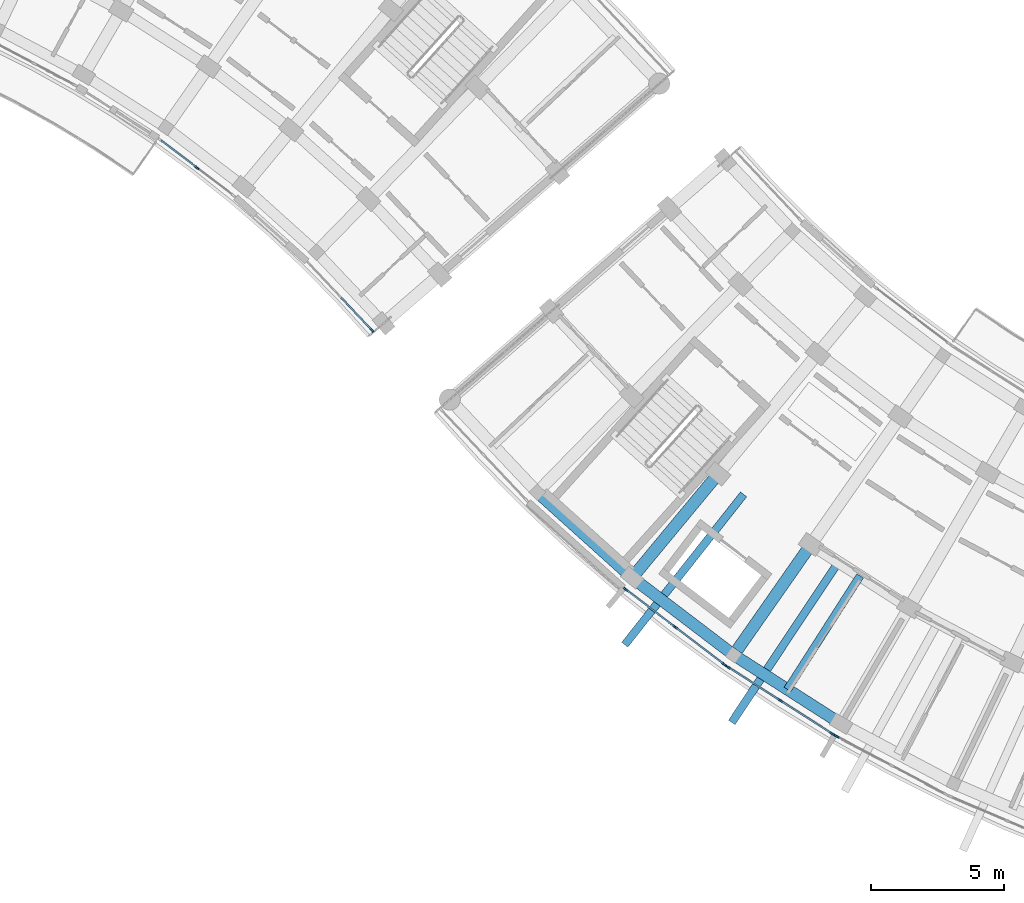
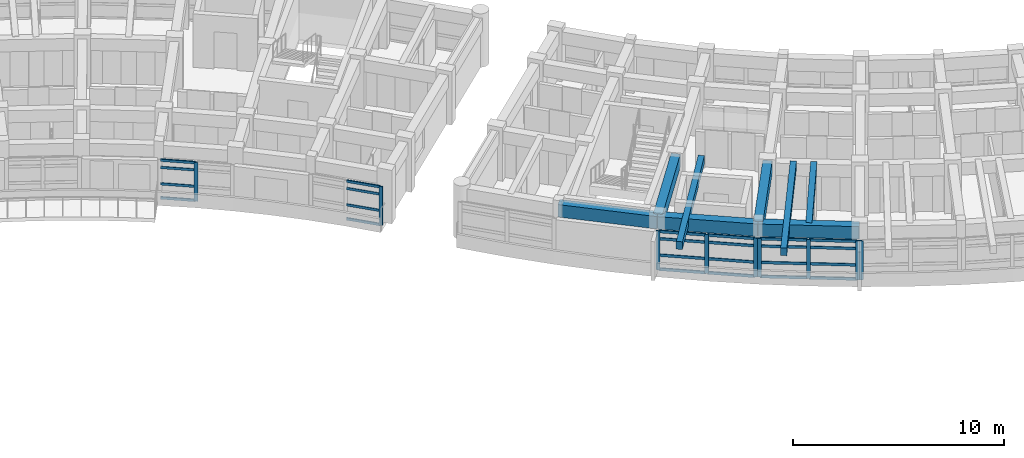
# One storey, part 9 of 56: 33 members, 8 beams, 5 elements without a shape of their own.
"""IFC4 building model written with IfcOpenShell, lengths in metres."""

from ifc_helpers import new_model, si_unit, direction, frame, origin, origin_2d, place, context, subcontext, project, spatial, rectangle, extrude, material, material_profile, profile_set, type_object, element, aggregate, save


model = new_model("IFC4")

# Units and contexts
model_context = context("Model", 3, precision=1e-05, world=origin(), true_north=direction((0.0, 1.0)))
body_context = subcontext(model_context, "Body", "Model", "MODEL_VIEW")
ifc_project = project(units=[si_unit("LENGTHUNIT", "METRE"), si_unit("AREAUNIT", "SQUARE_METRE"), si_unit("VOLUMEUNIT", "CUBIC_METRE"), si_unit("PLANEANGLEUNIT", "RADIAN"), si_unit("MASSUNIT", "GRAM", prefix="KILO")], contexts=[model_context])

# Site, building, storey
site_placement = place(None, origin())
site = spatial("IfcSite", under=ifc_project, at=site_placement, CompositionType="ELEMENT")
building_placement = place(site_placement, origin())
building = spatial("IfcBuilding", under=site, at=building_placement, Name="Zimvara Arc Housing Community", CompositionType="ELEMENT")
storey_placement = place(building_placement, frame((0.0, 0.0, 11.199951171875)))
storey = spatial("IfcBuildingStorey", under=building, at=storey_placement, Name="L03", CompositionType="ELEMENT", Elevation=11.199951171875)

# Beams
ifc_material_1 = material(Name="Concrete C40/50", Category="concrete")
ifc_material_profile_1 = material_profile(ifc_material_1, rectangle(XDim=0.300048828125, YDim=0.449951171875, at=origin_2d()), Name="RC 300x450")
ifc_profile_set_1 = profile_set([ifc_material_profile_1], Name="Concrete C40/50")
beam_type_1 = type_object("IfcBeamType", Name="BM-RC-300x450", PredefinedType="JOIST", material=ifc_profile_set_1)
beam_1_placement = place(storey_placement, frame((97.00244140625, 64.583984375, 2.635009765625), z_axis=(-0.539052331508, -0.842272274206, 0.0), x_axis=(0.842272274206, -0.539052331508, 0.0)))
element("IfcBeam", 1, at=beam_1_placement, inside=storey, type_object=beam_type_1, Name="bm:blkC:L03:joist:b3", PredefinedType="JOIST", context=body_context, shape_type="SweptSolid", body=[
    extrude(rectangle(XDim=0.300048828125, YDim=0.449951171875, at=origin_2d()), origin(), (0.0, 0.0, 1.0), 5.07568359375),
])
for number, where, z_axis, x_axis, name in (
    (2, (92.614013671875, 67.65625, 2.6650390625), (-0.620185744854, -0.784454996721, 0.0), (0.784454996721, -0.620185744854, 0.0), "bm:blkC:L03:cant_out:b2"),
    (3, (96.168701171875, 65.07470703125, 2.6650390625), (-0.554114811637, -0.832440253426, 0.0), (0.832440253426, -0.554114811637, 0.0), "bm:blkC:L03:cant_out:b3"),
):
    element("IfcBeam", number, at=place(storey_placement, frame(where, z_axis=z_axis, x_axis=x_axis)), inside=storey, type_object=beam_type_1, Name=name, PredefinedType="JOIST", context=body_context, shape_type="SweptSolid", body=[
        extrude(rectangle(XDim=0.300048828125, YDim=0.449951171875, at=origin_2d()), origin(), (0.0, 0.0, 1.0), 7.219970703125),
    ])
ifc_material_2 = material(Name="Concrete C40/50", Category="concrete")
ifc_material_profile_2 = material_profile(ifc_material_2, rectangle(XDim=0.43994140625, YDim=0.719970703125, at=origin_2d()), Name="RC 440x720")
ifc_profile_set_2 = profile_set([ifc_material_profile_2], Name="Concrete C40/50")
beam_type_2 = type_object("IfcBeamType", Name="BM-RC-440x720", PredefinedType="BEAM", material=ifc_profile_set_2)
for number, where, z_axis, x_axis, name in (
    (4, (84.842529296875, 67.734375, 2.5), (0.743369885629, -0.668880567172, 0.0), (0.668880567172, 0.743369885629, 0.0), "bm:blkC:L03:chord:r3:b1"),
    (5, (88.416748046875, 64.518310546875, 2.5), (0.795480673672, -0.605978958228, 0.0), (0.605978958228, 0.795480673672, 0.0), "bm:blkC:L03:chord:r3:b2"),
    (6, (92.241455078125, 61.604736328125, 2.5), (0.842278777856, -0.539042169383, 0.0), (0.539042169383, 0.842278777856, 0.0), "bm:blkC:L03:chord:r3:b3"),
):
    element("IfcBeam", number, at=place(storey_placement, frame(where, z_axis=z_axis, x_axis=x_axis)), inside=storey, type_object=beam_type_2, Name=name, PredefinedType="BEAM", context=body_context, shape_type="SweptSolid", body=[
        extrude(rectangle(XDim=0.43994140625, YDim=0.719970703125, at=origin_2d()), origin(), (0.0, 0.0, 1.0), 4.80810546875),
    ])
ifc_material_3 = material(Name="Concrete C40/50", Category="concrete")
ifc_material_profile_3 = material_profile(ifc_material_3, rectangle(XDim=0.449951171875, YDim=0.75, at=origin_2d()), Name="RC 450x750")
ifc_profile_set_3 = profile_set([ifc_material_profile_3], Name="Concrete C40/50")
beam_type_3 = type_object("IfcBeamType", Name="BM-RC-450x750", PredefinedType="BEAM", material=ifc_profile_set_3)
beam_2_placement = place(storey_placement, frame((91.65771484375, 68.430419921875, 2.485107421875), z_axis=(-0.637960059333, -0.770069453164, 0.0), x_axis=(0.770069453164, -0.637960059333, 0.0)))
element("IfcBeam", 7, at=beam_2_placement, inside=storey, type_object=beam_type_3, Name="bm:blkC:L03:rad:b2:r23", PredefinedType="BEAM", context=body_context, shape_type="SweptSolid", body=[
    extrude(rectangle(XDim=0.449951171875, YDim=0.75, at=origin_2d()), origin(), (0.0, 0.0, 1.0), 5.080322265625),
])
beam_3_placement = place(storey_placement, frame((95.15234375, 65.76806640625, 2.485107421875), z_axis=(-0.573007469479, -0.819550144848, 0.0), x_axis=(0.819550144848, -0.573007469479, 0.0)))
element("IfcBeam", 8, at=beam_3_placement, inside=storey, type_object=beam_type_3, Name="bm:blkC:L03:rad:b3:r23", PredefinedType="BEAM", context=body_context, shape_type="SweptSolid", body=[
    extrude(rectangle(XDim=0.449951171875, YDim=0.75, at=origin_2d()), origin(), (0.0, 0.0, 1.0), 5.080078125),
])

# Curtain wall, member
ifc_material_4 = material(Name="Anodised Aluminium AW-6063", Category="aluminium")
curtain_wall_type_1 = type_object("IfcCurtainWallType", Name="CW-SYS-02", PredefinedType="USERDEFINED", material=ifc_material_4)
curtain_wall_1_placement = place(storey_placement, origin())
curtain_wall_1 = element("IfcCurtainWall", 9, at=curtain_wall_1_placement, inside=storey, type_object=curtain_wall_type_1, Name="cw:blkB:L03:in:b7", ObjectType="CURTAIN WALL", PredefinedType="USERDEFINED")
ifc_material_5 = material(Name="Anodised Aluminium AW-6063", Category="aluminium")
ifc_material_profile_4 = material_profile(ifc_material_5, rectangle(XDim=0.06494140625, YDim=0.179931640625, at=origin_2d()), Name="ALU 65x180")
ifc_profile_set_4 = profile_set([ifc_material_profile_4], Name="Anodised Aluminium AW-6063")
member_type_1 = type_object("IfcMemberType", Name="CWM-65x150", PredefinedType="MULLION", material=ifc_profile_set_4)
member_1_placement = place(storey_placement, frame((72.0166015625, 79.96435546875, 0.0), z_axis=(0.0, 0.0, 1.0), x_axis=(0.605988318533, 0.795473543119, 0.0)))
member_1 = element("IfcMember", 10, at=member_1_placement, type_object=member_type_1, Name="CW02 mullion 2", PredefinedType="MULLION", context=body_context, shape_type="SweptSolid", body=[
    extrude(rectangle(XDim=0.06494140625, YDim=0.179931640625, at=origin_2d()), origin(), (0.0, 0.0, 1.0), 2.25),
])

ifc_material_6 = material(Name="Anodised Aluminium AW-6063", Category="aluminium")
curtain_wall_type_2 = type_object("IfcCurtainWallType", Name="CW-SYS-04", PredefinedType="USERDEFINED", material=ifc_material_6)
curtain_wall_2_placement = place(storey_placement, origin())
curtain_wall_2 = element("IfcCurtainWall", 11, at=curtain_wall_2_placement, inside=storey, type_object=curtain_wall_type_2, Name="cw:blkB:L03:in:b9", ObjectType="CURTAIN WALL", PredefinedType="USERDEFINED")
member_2_placement = place(storey_placement, frame((78.611572265625, 73.840576171875, 0.0), z_axis=(0.0, 0.0, 1.0), x_axis=(0.727293280483, 0.686326805658, 0.0)))
member_2 = element("IfcMember", 12, at=member_2_placement, type_object=member_type_1, Name="CW04 mullion 3", PredefinedType="MULLION", context=body_context, shape_type="SweptSolid", body=[
    extrude(rectangle(XDim=0.06494140625, YDim=0.179931640625, at=origin_2d()), origin(), (0.0, 0.0, 1.0), 2.25),
])

# Curtain wall, members
ifc_material_7 = material(Name="Anodised Aluminium AW-6063", Category="aluminium")
curtain_wall_type_3 = type_object("IfcCurtainWallType", Name="CW-SYS-05", PredefinedType="USERDEFINED", material=ifc_material_7)
curtain_wall_3_placement = place(storey_placement, origin())
curtain_wall_3 = element("IfcCurtainWall", 13, at=curtain_wall_3_placement, inside=storey, type_object=curtain_wall_type_3, Name="cw:blkC:L03:out:b2", ObjectType="CURTAIN WALL", PredefinedType="USERDEFINED")
ifc_material_8 = material(Name="Anodised Aluminium AW-6063", Category="aluminium")
ifc_material_profile_5 = material_profile(ifc_material_8, rectangle(XDim=0.06494140625, YDim=0.195068359375, at=origin_2d()), Name="ALU 65x195")
ifc_profile_set_5 = profile_set([ifc_material_profile_5], Name="Anodised Aluminium AW-6063")
member_type_2 = type_object("IfcMemberType", Name="CWM-65x180", PredefinedType="MULLION", material=ifc_profile_set_5)
member_3_placement = place(storey_placement, frame((88.17138671875, 64.077392578125, 0.0), z_axis=(0.0, 0.0, 1.0), x_axis=(0.60598771987, 0.795473999177, 0.0)))
member_3 = element("IfcMember", 14, at=member_3_placement, type_object=member_type_2, Name="CW05 mullion 1", PredefinedType="MULLION", context=body_context, shape_type="SweptSolid", body=[
    extrude(rectangle(XDim=0.06494140625, YDim=0.195068359375, at=origin_2d()), origin(), (0.0, 0.0, 1.0), 2.25),
])
member_4_placement = place(storey_placement, frame((90.0263671875, 62.6640625, 0.0), z_axis=(0.0, 0.0, 1.0), x_axis=(0.60598771987, 0.795473999177, 0.0)))
member_4 = element("IfcMember", 15, at=member_4_placement, type_object=member_type_2, Name="CW05 mullion 2", PredefinedType="MULLION", context=body_context, shape_type="SweptSolid", body=[
    extrude(rectangle(XDim=0.06494140625, YDim=0.195068359375, at=origin_2d()), origin(), (0.0, 0.0, 1.0), 2.25),
])
member_5_placement = place(storey_placement, frame((91.88134765625, 61.2509765625, 0.0), z_axis=(0.0, 0.0, 1.0), x_axis=(0.60598771987, 0.795473999177, 0.0)))
member_5 = element("IfcMember", 16, at=member_5_placement, type_object=member_type_2, Name="CW05 mullion 3", PredefinedType="MULLION", context=body_context, shape_type="SweptSolid", body=[
    extrude(rectangle(XDim=0.06494140625, YDim=0.195068359375, at=origin_2d()), origin(), (0.0, 0.0, 1.0), 2.25),
])

ifc_material_9 = material(Name="Anodised Aluminium AW-6063", Category="aluminium")
curtain_wall_type_4 = type_object("IfcCurtainWallType", Name="CW-SYS-07", PredefinedType="USERDEFINED", material=ifc_material_9)
curtain_wall_4_placement = place(storey_placement, origin())
curtain_wall_4 = element("IfcCurtainWall", 17, at=curtain_wall_4_placement, inside=storey, type_object=curtain_wall_type_4, Name="cw:blkC:L03:out:b3", ObjectType="CURTAIN WALL", PredefinedType="USERDEFINED")
member_6_placement = place(storey_placement, frame((92.032958984375, 61.14501953125, 0.0), z_axis=(0.0, 0.0, 1.0), x_axis=(0.539064617721, 0.842264410931, 0.0)))
member_6 = element("IfcMember", 18, at=member_6_placement, type_object=member_type_2, Name="CW07 mullion 1", PredefinedType="MULLION", context=body_context, shape_type="SweptSolid", body=[
    extrude(rectangle(XDim=0.06494140625, YDim=0.195068359375, at=origin_2d()), origin(), (0.0, 0.0, 1.0), 2.25),
])
member_7_placement = place(storey_placement, frame((93.9970703125, 59.887939453125, 0.0), z_axis=(0.0, 0.0, 1.0), x_axis=(0.539064617721, 0.842264410931, 0.0)))
member_7 = element("IfcMember", 19, at=member_7_placement, type_object=member_type_2, Name="CW07 mullion 2", PredefinedType="MULLION", context=body_context, shape_type="SweptSolid", body=[
    extrude(rectangle(XDim=0.06494140625, YDim=0.195068359375, at=origin_2d()), origin(), (0.0, 0.0, 1.0), 2.25),
])
member_8_placement = place(storey_placement, frame((95.961181640625, 58.630859375, 0.0), z_axis=(0.0, 0.0, 1.0), x_axis=(0.539064617721, 0.842264410931, 0.0)))
member_8 = element("IfcMember", 20, at=member_8_placement, type_object=member_type_2, Name="CW07 mullion 3", PredefinedType="MULLION", context=body_context, shape_type="SweptSolid", body=[
    extrude(rectangle(XDim=0.06494140625, YDim=0.195068359375, at=origin_2d()), origin(), (0.0, 0.0, 1.0), 2.25),
])

# Curtain wall, member
ifc_material_10 = material(Name="Anodised Aluminium AW-6063", Category="aluminium")
curtain_wall_type_5 = type_object("IfcCurtainWallType", Name="CW-SYS-01", PredefinedType="USERDEFINED", material=ifc_material_10)
curtain_wall_5_placement = place(storey_placement, origin())
curtain_wall_5 = element("IfcCurtainWall", 21, at=curtain_wall_5_placement, inside=storey, type_object=curtain_wall_type_5, Name="cw:blkC:L03:out:b4", ObjectType="CURTAIN WALL", PredefinedType="USERDEFINED")
member_9_placement = place(storey_placement, frame((96.120849609375, 58.537841796875, 0.0), z_axis=(0.0, 0.0, 1.0), x_axis=(0.468546917761, 0.883438614651, 0.0)))
member_9 = element("IfcMember", 22, at=member_9_placement, type_object=member_type_2, Name="CW01 mullion 1", PredefinedType="MULLION", context=body_context, shape_type="SweptSolid", body=[
    extrude(rectangle(XDim=0.06494140625, YDim=0.195068359375, at=origin_2d()), origin(), (0.0, 0.0, 1.0), 2.25),
])
aggregate(curtain_wall_5, [member_9])

# Member
ifc_material_11 = material(Name="Anodised Aluminium AW-6063", Category="aluminium")
ifc_material_profile_6 = material_profile(ifc_material_11, rectangle(XDim=0.06494140625, YDim=0.139892578125, at=origin_2d()), Name="ALU 65x140")
ifc_profile_set_6 = profile_set([ifc_material_profile_6], Name="Anodised Aluminium AW-6063")
member_type_3 = type_object("IfcMemberType", Name="CWT-65x120", PredefinedType="USERDEFINED", material=ifc_profile_set_6)
member_10_placement = place(storey_placement, frame((70.6669921875, 80.99267578125, 0.032470703125), z_axis=(0.795435087713, -0.606038795157, 0.0), x_axis=(0.606038795157, 0.795435087713, 0.0)))
member_10 = element("IfcMember", 23, at=member_10_placement, type_object=member_type_3, Name="CW02 transom 1.1", ObjectType="TRANSOM", PredefinedType="USERDEFINED", context=body_context, shape_type="SweptSolid", body=[
    extrude(rectangle(XDim=0.06494140625, YDim=0.139892578125, at=origin_2d()), origin(), (0.0, 0.0, 1.0), 1.6640625),
])

member_11_placement = place(storey_placement, frame((70.6669921875, 80.99267578125, 0.85009765625), z_axis=(0.795435087713, -0.606038795157, 0.0), x_axis=(0.606038795157, 0.795435087713, 0.0)))
member_11 = element("IfcMember", 24, at=member_11_placement, type_object=member_type_3, Name="CW02 transom 1.2", ObjectType="TRANSOM", PredefinedType="USERDEFINED", context=body_context, shape_type="SweptSolid", body=[
    extrude(rectangle(XDim=0.06494140625, YDim=0.139892578125, at=origin_2d()), origin(), (0.0, 0.0, 1.0), 1.6640625),
])

member_12_placement = place(storey_placement, frame((70.6669921875, 80.99267578125, 1.800048828125), z_axis=(0.795435087713, -0.606038795157, 0.0), x_axis=(0.606038795157, 0.795435087713, 0.0)))
member_12 = element("IfcMember", 25, at=member_12_placement, type_object=member_type_3, Name="CW02 transom 1.3", ObjectType="TRANSOM", PredefinedType="USERDEFINED", context=body_context, shape_type="SweptSolid", body=[
    extrude(rectangle(XDim=0.06494140625, YDim=0.139892578125, at=origin_2d()), origin(), (0.0, 0.0, 1.0), 1.6640625),
])

member_13_placement = place(storey_placement, frame((70.6669921875, 80.99267578125, 2.217529296875), z_axis=(0.795435087713, -0.606038795157, 0.0), x_axis=(0.606038795157, 0.795435087713, 0.0)))
member_13 = element("IfcMember", 26, at=member_13_placement, type_object=member_type_3, Name="CW02 transom 1.4", ObjectType="TRANSOM", PredefinedType="USERDEFINED", context=body_context, shape_type="SweptSolid", body=[
    extrude(rectangle(XDim=0.06494140625, YDim=0.139892578125, at=origin_2d()), origin(), (0.0, 0.0, 1.0), 1.6640625),
])

aggregate(curtain_wall_1, [member_1, member_10, member_11, member_12, member_13])

member_14_placement = place(storey_placement, frame((77.447021484375, 75.07470703125, 0.032470703125), z_axis=(0.686347817597, -0.727273451516, 0.0), x_axis=(0.727273451516, 0.686347817597, 0.0)))
member_14 = element("IfcMember", 27, at=member_14_placement, type_object=member_type_3, Name="CW04 transom 2.1", ObjectType="TRANSOM", PredefinedType="USERDEFINED", context=body_context, shape_type="SweptSolid", body=[
    extrude(rectangle(XDim=0.06494140625, YDim=0.139892578125, at=origin_2d()), origin(), (0.0, 0.0, 1.0), 1.664306640625),
])

member_15_placement = place(storey_placement, frame((77.447021484375, 75.07470703125, 0.85009765625), z_axis=(0.686347817597, -0.727273451516, 0.0), x_axis=(0.727273451516, 0.686347817597, 0.0)))
member_15 = element("IfcMember", 28, at=member_15_placement, type_object=member_type_3, Name="CW04 transom 2.2", ObjectType="TRANSOM", PredefinedType="USERDEFINED", context=body_context, shape_type="SweptSolid", body=[
    extrude(rectangle(XDim=0.06494140625, YDim=0.139892578125, at=origin_2d()), origin(), (0.0, 0.0, 1.0), 1.664306640625),
])

member_16_placement = place(storey_placement, frame((77.447021484375, 75.07470703125, 1.800048828125), z_axis=(0.686347817597, -0.727273451516, 0.0), x_axis=(0.727273451516, 0.686347817597, 0.0)))
member_16 = element("IfcMember", 29, at=member_16_placement, type_object=member_type_3, Name="CW04 transom 2.3", ObjectType="TRANSOM", PredefinedType="USERDEFINED", context=body_context, shape_type="SweptSolid", body=[
    extrude(rectangle(XDim=0.06494140625, YDim=0.139892578125, at=origin_2d()), origin(), (0.0, 0.0, 1.0), 1.664306640625),
])

member_17_placement = place(storey_placement, frame((77.447021484375, 75.07470703125, 2.217529296875), z_axis=(0.686347817597, -0.727273451516, 0.0), x_axis=(0.727273451516, 0.686347817597, 0.0)))
member_17 = element("IfcMember", 30, at=member_17_placement, type_object=member_type_3, Name="CW04 transom 2.4", ObjectType="TRANSOM", PredefinedType="USERDEFINED", context=body_context, shape_type="SweptSolid", body=[
    extrude(rectangle(XDim=0.06494140625, YDim=0.139892578125, at=origin_2d()), origin(), (0.0, 0.0, 1.0), 1.664306640625),
])

aggregate(curtain_wall_2, [member_2, member_14, member_15, member_16, member_17])

ifc_material_12 = material(Name="Anodised Aluminium AW-6063", Category="aluminium")
ifc_material_profile_7 = material_profile(ifc_material_12, rectangle(XDim=0.06494140625, YDim=0.155029296875, at=origin_2d()), Name="ALU 65x155")
ifc_profile_set_7 = profile_set([ifc_material_profile_7], Name="Anodised Aluminium AW-6063")
member_type_4 = type_object("IfcMemberType", Name="CWT-65x140", PredefinedType="USERDEFINED", material=ifc_profile_set_7)
member_18_placement = place(storey_placement, frame((88.197265625, 64.0576171875, 0.032470703125), z_axis=(0.795453969776, -0.606014011363, 0.0), x_axis=(0.606014011363, 0.795453969776, 0.0)))
member_18 = element("IfcMember", 31, at=member_18_placement, type_object=member_type_4, Name="CW05 transom 1.1", ObjectType="TRANSOM", PredefinedType="USERDEFINED", context=body_context, shape_type="SweptSolid", body=[
    extrude(rectangle(XDim=0.06494140625, YDim=0.155029296875, at=origin_2d()), origin(), (0.0, 0.0, 1.0), 2.266845703125),
])

member_19_placement = place(storey_placement, frame((88.197265625, 64.0576171875, 0.85009765625), z_axis=(0.795453969776, -0.606014011363, 0.0), x_axis=(0.606014011363, 0.795453969776, 0.0)))
member_19 = element("IfcMember", 32, at=member_19_placement, type_object=member_type_4, Name="CW05 transom 1.2", ObjectType="TRANSOM", PredefinedType="USERDEFINED", context=body_context, shape_type="SweptSolid", body=[
    extrude(rectangle(XDim=0.06494140625, YDim=0.155029296875, at=origin_2d()), origin(), (0.0, 0.0, 1.0), 2.266845703125),
])

member_20_placement = place(storey_placement, frame((88.197265625, 64.0576171875, 1.800048828125), z_axis=(0.795453969776, -0.606014011363, 0.0), x_axis=(0.606014011363, 0.795453969776, 0.0)))
member_20 = element("IfcMember", 33, at=member_20_placement, type_object=member_type_4, Name="CW05 transom 1.3", ObjectType="TRANSOM", PredefinedType="USERDEFINED", context=body_context, shape_type="SweptSolid", body=[
    extrude(rectangle(XDim=0.06494140625, YDim=0.155029296875, at=origin_2d()), origin(), (0.0, 0.0, 1.0), 2.266845703125),
])

member_21_placement = place(storey_placement, frame((88.197265625, 64.0576171875, 2.217529296875), z_axis=(0.795453969776, -0.606014011363, 0.0), x_axis=(0.606014011363, 0.795453969776, 0.0)))
member_21 = element("IfcMember", 34, at=member_21_placement, type_object=member_type_4, Name="CW05 transom 1.4", ObjectType="TRANSOM", PredefinedType="USERDEFINED", context=body_context, shape_type="SweptSolid", body=[
    extrude(rectangle(XDim=0.06494140625, YDim=0.155029296875, at=origin_2d()), origin(), (0.0, 0.0, 1.0), 2.266845703125),
])

member_22_placement = place(storey_placement, frame((90.05224609375, 62.64453125, 0.032470703125), z_axis=(0.795453969776, -0.606014011363, 0.0), x_axis=(0.606014011363, 0.795453969776, 0.0)))
member_22 = element("IfcMember", 35, at=member_22_placement, type_object=member_type_4, Name="CW05 transom 2.1", ObjectType="TRANSOM", PredefinedType="USERDEFINED", context=body_context, shape_type="SweptSolid", body=[
    extrude(rectangle(XDim=0.06494140625, YDim=0.155029296875, at=origin_2d()), origin(), (0.0, 0.0, 1.0), 2.266845703125),
])

member_23_placement = place(storey_placement, frame((90.05224609375, 62.64453125, 0.85009765625), z_axis=(0.795453969776, -0.606014011363, 0.0), x_axis=(0.606014011363, 0.795453969776, 0.0)))
member_23 = element("IfcMember", 36, at=member_23_placement, type_object=member_type_4, Name="CW05 transom 2.2", ObjectType="TRANSOM", PredefinedType="USERDEFINED", context=body_context, shape_type="SweptSolid", body=[
    extrude(rectangle(XDim=0.06494140625, YDim=0.155029296875, at=origin_2d()), origin(), (0.0, 0.0, 1.0), 2.266845703125),
])

member_24_placement = place(storey_placement, frame((90.05224609375, 62.64453125, 1.800048828125), z_axis=(0.795453969776, -0.606014011363, 0.0), x_axis=(0.606014011363, 0.795453969776, 0.0)))
member_24 = element("IfcMember", 37, at=member_24_placement, type_object=member_type_4, Name="CW05 transom 2.3", ObjectType="TRANSOM", PredefinedType="USERDEFINED", context=body_context, shape_type="SweptSolid", body=[
    extrude(rectangle(XDim=0.06494140625, YDim=0.155029296875, at=origin_2d()), origin(), (0.0, 0.0, 1.0), 2.266845703125),
])

member_25_placement = place(storey_placement, frame((90.05224609375, 62.64453125, 2.217529296875), z_axis=(0.795453969776, -0.606014011363, 0.0), x_axis=(0.606014011363, 0.795453969776, 0.0)))
member_25 = element("IfcMember", 38, at=member_25_placement, type_object=member_type_4, Name="CW05 transom 2.4", ObjectType="TRANSOM", PredefinedType="USERDEFINED", context=body_context, shape_type="SweptSolid", body=[
    extrude(rectangle(XDim=0.06494140625, YDim=0.155029296875, at=origin_2d()), origin(), (0.0, 0.0, 1.0), 2.266845703125),
])

aggregate(curtain_wall_3, [member_3, member_4, member_5, member_18, member_19, member_20, member_21, member_22, member_23, member_24, member_25])

member_26_placement = place(storey_placement, frame((92.060302734375, 61.127685546875, 0.032470703125), z_axis=(0.842244018672, -0.539096478388, 0.0), x_axis=(0.539096478388, 0.842244018672, 0.0)))
member_26 = element("IfcMember", 39, at=member_26_placement, type_object=member_type_4, Name="CW07 transom 1.1", ObjectType="TRANSOM", PredefinedType="USERDEFINED", context=body_context, shape_type="SweptSolid", body=[
    extrude(rectangle(XDim=0.06494140625, YDim=0.155029296875, at=origin_2d()), origin(), (0.0, 0.0, 1.0), 2.26708984375),
])

member_27_placement = place(storey_placement, frame((92.060302734375, 61.127685546875, 0.85009765625), z_axis=(0.842244018672, -0.539096478388, 0.0), x_axis=(0.539096478388, 0.842244018672, 0.0)))
member_27 = element("IfcMember", 40, at=member_27_placement, type_object=member_type_4, Name="CW07 transom 1.2", ObjectType="TRANSOM", PredefinedType="USERDEFINED", context=body_context, shape_type="SweptSolid", body=[
    extrude(rectangle(XDim=0.06494140625, YDim=0.155029296875, at=origin_2d()), origin(), (0.0, 0.0, 1.0), 2.26708984375),
])

member_28_placement = place(storey_placement, frame((92.060302734375, 61.127685546875, 1.800048828125), z_axis=(0.842244018672, -0.539096478388, 0.0), x_axis=(0.539096478388, 0.842244018672, 0.0)))
member_28 = element("IfcMember", 41, at=member_28_placement, type_object=member_type_4, Name="CW07 transom 1.3", ObjectType="TRANSOM", PredefinedType="USERDEFINED", context=body_context, shape_type="SweptSolid", body=[
    extrude(rectangle(XDim=0.06494140625, YDim=0.155029296875, at=origin_2d()), origin(), (0.0, 0.0, 1.0), 2.26708984375),
])

member_29_placement = place(storey_placement, frame((92.060302734375, 61.127685546875, 2.217529296875), z_axis=(0.842244018672, -0.539096478388, 0.0), x_axis=(0.539096478388, 0.842244018672, 0.0)))
member_29 = element("IfcMember", 42, at=member_29_placement, type_object=member_type_4, Name="CW07 transom 1.4", ObjectType="TRANSOM", PredefinedType="USERDEFINED", context=body_context, shape_type="SweptSolid", body=[
    extrude(rectangle(XDim=0.06494140625, YDim=0.155029296875, at=origin_2d()), origin(), (0.0, 0.0, 1.0), 2.26708984375),
])

member_30_placement = place(storey_placement, frame((94.0244140625, 59.87060546875, 0.032470703125), z_axis=(0.842244018672, -0.539096478388, 0.0), x_axis=(0.539096478388, 0.842244018672, 0.0)))
member_30 = element("IfcMember", 43, at=member_30_placement, type_object=member_type_4, Name="CW07 transom 2.1", ObjectType="TRANSOM", PredefinedType="USERDEFINED", context=body_context, shape_type="SweptSolid", body=[
    extrude(rectangle(XDim=0.06494140625, YDim=0.155029296875, at=origin_2d()), origin(), (0.0, 0.0, 1.0), 2.26708984375),
])

member_31_placement = place(storey_placement, frame((94.0244140625, 59.87060546875, 0.85009765625), z_axis=(0.842244018672, -0.539096478388, 0.0), x_axis=(0.539096478388, 0.842244018672, 0.0)))
member_31 = element("IfcMember", 44, at=member_31_placement, type_object=member_type_4, Name="CW07 transom 2.2", ObjectType="TRANSOM", PredefinedType="USERDEFINED", context=body_context, shape_type="SweptSolid", body=[
    extrude(rectangle(XDim=0.06494140625, YDim=0.155029296875, at=origin_2d()), origin(), (0.0, 0.0, 1.0), 2.26708984375),
])

member_32_placement = place(storey_placement, frame((94.0244140625, 59.87060546875, 1.800048828125), z_axis=(0.842244018672, -0.539096478388, 0.0), x_axis=(0.539096478388, 0.842244018672, 0.0)))
member_32 = element("IfcMember", 45, at=member_32_placement, type_object=member_type_4, Name="CW07 transom 2.3", ObjectType="TRANSOM", PredefinedType="USERDEFINED", context=body_context, shape_type="SweptSolid", body=[
    extrude(rectangle(XDim=0.06494140625, YDim=0.155029296875, at=origin_2d()), origin(), (0.0, 0.0, 1.0), 2.26708984375),
])

member_33_placement = place(storey_placement, frame((94.0244140625, 59.87060546875, 2.217529296875), z_axis=(0.842244018672, -0.539096478388, 0.0), x_axis=(0.539096478388, 0.842244018672, 0.0)))
member_33 = element("IfcMember", 46, at=member_33_placement, type_object=member_type_4, Name="CW07 transom 2.4", ObjectType="TRANSOM", PredefinedType="USERDEFINED", context=body_context, shape_type="SweptSolid", body=[
    extrude(rectangle(XDim=0.06494140625, YDim=0.155029296875, at=origin_2d()), origin(), (0.0, 0.0, 1.0), 2.26708984375),
])

aggregate(curtain_wall_4, [member_6, member_7, member_8, member_26, member_27, member_28, member_29, member_30, member_31, member_32, member_33])

save(model, "model.ifc")
